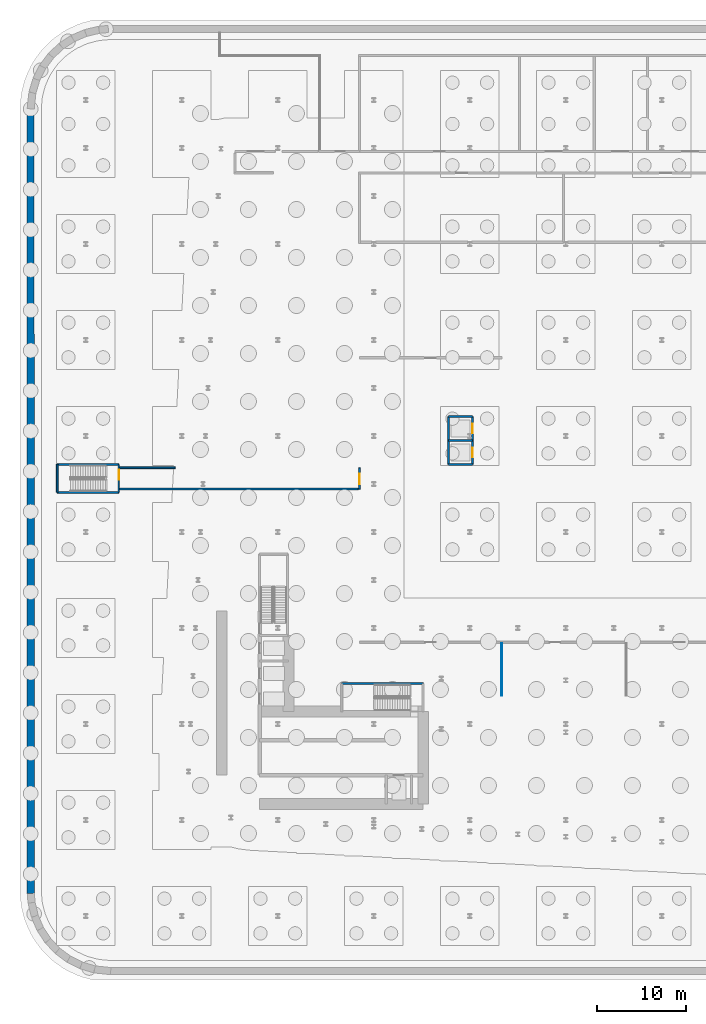
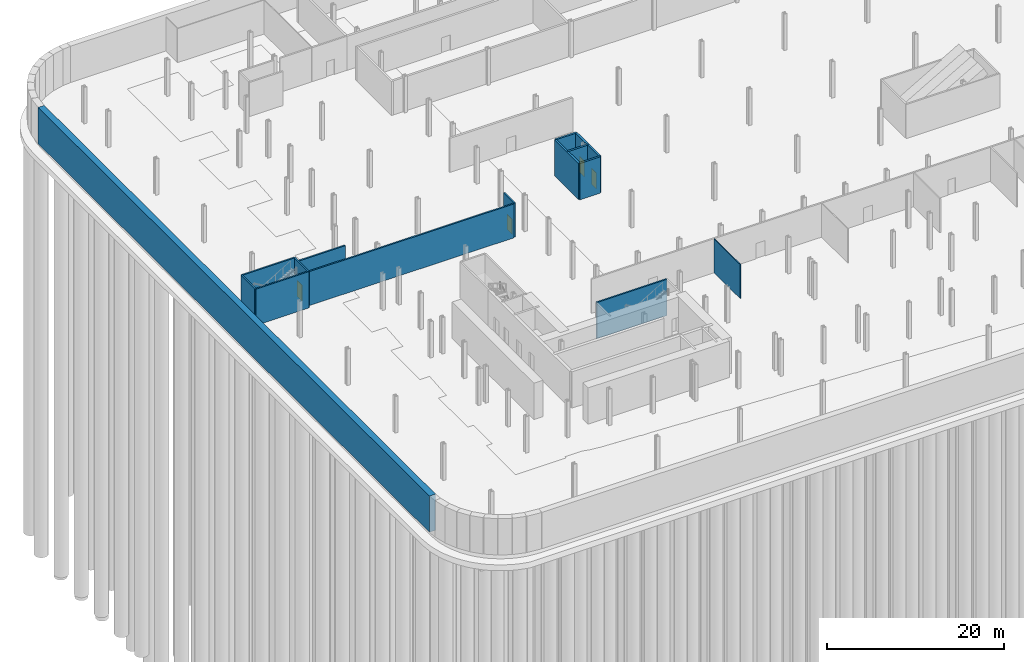
# One storey, part 12 of 23: 15 walls, 4 doors, 4 openings.
"""IFC4 building model written with IfcOpenShell, lengths in metres."""

from ifc_helpers import new_model, si_unit, direction, frame, frame_2d, origin, place, context, subcontext, project, spatial, rectangle, extrude, source, transform, mapped, material, layer, layer_set, type_object, element, fill, save


model = new_model("IFC4")

# Units and contexts
model_context = context("Model", 3, precision=1e-05, world=origin(), true_north=direction((0.0, 1.0)))
body_context = subcontext(model_context, "Body", "Model", "MODEL_VIEW")
ifc_project = project(units=[si_unit("LENGTHUNIT", "METRE"), si_unit("AREAUNIT", "SQUARE_METRE"), si_unit("VOLUMEUNIT", "CUBIC_METRE"), si_unit("PLANEANGLEUNIT", "RADIAN"), si_unit("MASSUNIT", "GRAM", prefix="KILO")], contexts=[model_context])

# Site, building, storey
site_placement = place(None, origin())
site = spatial("IfcSite", under=ifc_project, at=site_placement, CompositionType="ELEMENT")
building_placement = place(site_placement, origin())
building = spatial("IfcBuilding", under=site, at=building_placement, Name="Kheshtan School and Residences Tower", CompositionType="ELEMENT")
storey_placement = place(building_placement, frame((0.0, 0.0, -15.0)))
storey = spatial("IfcBuildingStorey", under=building, at=storey_placement, Name="B3", CompositionType="ELEMENT", Elevation=-15.0)

# Walls
ifc_material_1 = material(Name="Concrete C35/45", Category="concrete")
ifc_layer_1 = layer(ifc_material_1, 0.800048828125)
ifc_layer_set_1 = layer_set([ifc_layer_1], Name="Basement wall 800 Concrete C35/45")
wall_type_1 = type_object("IfcWallType", Name="Basement wall 800 Concrete C35/45", PredefinedType="SOLIDWALL", material=ifc_layer_set_1)
wall_1_placement = place(storey_placement, frame((9.010986328125, 15.739013671875, 0.0), z_axis=(0.0, 0.0, 1.0), x_axis=(-0.000124475473, 0.999999992253, 0.0)))
element("IfcWall", 1, at=wall_1_placement, inside=storey, type_object=wall_type_1, Name="Secant pile wall 40", PredefinedType="SOLIDWALL", context=body_context, shape_type="SweptSolid", body=[
    extrude(rectangle(XDim=88.260986328125, YDim=0.800048828125, at=frame_2d((44.13037109375, 0.0))), origin(), (0.0, 0.0, 1.0), 5.0),
])
ifc_material_2 = material(Name="Gypsum board on steel studs with fire boards", Category="steel")
ifc_layer_2 = layer(ifc_material_2, 0.199951171875)
ifc_layer_set_2 = layer_set([ifc_layer_2], Name="Corridor wall 200")
wall_type_2 = type_object("IfcWallType", Name="Corridor wall 200", PredefinedType="PARTITIONING", material=ifc_layer_set_2)
wall_2_placement = place(storey_placement, frame((19.02001953125, 61.22509765625, 0.0), z_axis=(0.0, 0.0, 1.0), x_axis=(1.0, 0.0, 0.0)))
element("IfcWall", 2, at=wall_2_placement, inside=storey, type_object=wall_type_2, Name="Partition B3-001", PredefinedType="PARTITIONING", context=body_context, shape_type="SweptSolid", body=[
    extrude(rectangle(XDim=26.830078125, YDim=0.199951171875, at=frame_2d((13.4150390625, 0.0))), origin(), (0.0, 0.0, 1.0), 4.679931640625),
])
wall_3_placement = place(storey_placement, frame((19.02001953125, 63.625, 0.0), z_axis=(0.0, 0.0, 1.0), x_axis=(1.0, 0.0, 0.0)))
element("IfcWall", 3, at=wall_3_placement, inside=storey, type_object=wall_type_2, Name="Partition B3-002", PredefinedType="PARTITIONING", context=body_context, shape_type="SweptSolid", body=[
    extrude(rectangle(XDim=6.22998046875, YDim=0.199951171875, at=frame_2d((3.114990234375, 0.0))), origin(), (0.0, 0.0, 1.0), 4.679931640625),
])

# Wall, opening, door
wall_4_placement = place(storey_placement, frame((46.0, 61.22509765625, 0.0), z_axis=(0.0, 0.0, 1.0), x_axis=(0.0, 1.0, 0.0)))
wall_4 = element("IfcWall", 4, at=wall_4_placement, inside=storey, type_object=wall_type_2, Name="Partition B3-014", PredefinedType="PARTITIONING", context=body_context, shape_type="SweptSolid", body=[
    extrude(rectangle(XDim=2.39990234375, YDim=0.199951171875, at=frame_2d((1.199951171875, 0.0))), origin(), (0.0, 0.0, 1.0), 4.679931640625),
])
opening_1_placement = place(wall_4_placement, frame((0.550048828125, 0.0, 0.0)))
opening_1 = element("IfcOpeningElement", 5, at=opening_1_placement, cuts=wall_4, Name="Opening D3-012", PredefinedType="OPENING", context=body_context, shape_type="SweptSolid", body=[
    extrude(rectangle(XDim=1.199951171875, YDim=2.10009765625, at=frame_2d((0.60009765625, 1.050048828125))), frame((0.0, 0.10986328125, 0.0), z_axis=(0.0, -1.0, 0.0), x_axis=(1.0, 0.0, 0.0)), (0.0, 0.0, 1.0), 0.219970703125),
])
ifc_material_3 = material(Name="Steel-framed fire-resisting door leaf", Category="steel")
door_type_1 = type_object("IfcDoorType", Name="Fire door FD60 1200 x 2100", OperationType="SINGLE_SWING_LEFT", PredefinedType="DOOR", material=ifc_material_3)
shared_shape_1 = source(origin(), body_context, "Body", "SweptSolid", [
    extrude(rectangle(XDim=1.199951171875, YDim=2.10009765625, at=frame_2d((0.60009765625, 1.050048828125))), frame((0.0, 0.02490234375, 0.0), z_axis=(0.0, -1.0, 0.0), x_axis=(1.0, 0.0, 0.0)), (0.0, 0.0, 1.0), 0.050048828125),
])
door_1_placement = place(opening_1_placement, origin())
door_1 = element("IfcDoor", 6, at=door_1_placement, inside=storey, type_object=door_type_1, Name="Door D3-012", OperationType="SINGLE_SWING_RIGHT", OverallHeight=2.10009765625, OverallWidth=1.199951171875, PredefinedType="DOOR", context=body_context, shape_type="MappedRepresentation", body=[
    mapped(shared_shape_1, transform((0.0, 0.0, 0.0), x_axis=(1.0, 0.0, 0.0), y_axis=(0.0, 1.0, 0.0), z_axis=(0.0, 0.0, 1.0), scale=1.0)),
])
fill(opening_1, door_1)

# Walls
ifc_material_4 = material(Name="Gypsum board on steel studs", Category="steel")
ifc_layer_3 = layer(ifc_material_4, 0.10009765625)
ifc_layer_set_3 = layer_set([ifc_layer_3], Name="Gypsum partition 100")
wall_type_3 = type_object("IfcWallType", Name="Gypsum partition 100", PredefinedType="PARTITIONING", material=ifc_layer_set_3)
wall_5_placement = place(storey_placement, frame((62.0, 38.0, 0.0), z_axis=(0.0, 0.0, 1.0), x_axis=(0.0, 1.0, 0.0)))
element("IfcWall", 7, at=wall_5_placement, inside=storey, type_object=wall_type_3, Name="Partition B3-022", PredefinedType="PARTITIONING", context=body_context, shape_type="SweptSolid", body=[
    extrude(rectangle(XDim=5.89990234375, YDim=0.10009765625, at=frame_2d((2.949951171875, 0.0))), origin(), (0.0, 0.0, 1.0), 4.679931640625),
])
ifc_material_5 = material(Name="Fire-board shaft wall system")
ifc_layer_4 = layer(ifc_material_5, 0.25)
ifc_layer_set_4 = layer_set([ifc_layer_4], Name="Shaft lining wall 250")
wall_type_4 = type_object("IfcWallType", Name="Shaft lining wall 250", PredefinedType="PARTITIONING", material=ifc_layer_set_4)
wall_6_placement = place(storey_placement, frame((56.0, 64.0, 0.0), z_axis=(0.0, 0.0, 1.0), x_axis=(0.0, 1.0, 0.0)))
element("IfcWall", 8, at=wall_6_placement, inside=storey, type_object=wall_type_4, Name="Shaft lining wall", PredefinedType="PARTITIONING", context=body_context, shape_type="SweptSolid", body=[
    extrude(rectangle(XDim=5.39990234375, YDim=0.25, at=frame_2d((2.699951171875, 0.0))), origin(), (0.0, 0.0, 1.0), 5.0),
])

# Wall, openings, doors
wall_7_placement = place(storey_placement, frame((58.699951171875, 64.0, 0.0), z_axis=(0.0, 0.0, 1.0), x_axis=(0.0, 1.0, 0.0)))
wall_7 = element("IfcWall", 9, at=wall_7_placement, inside=storey, type_object=wall_type_4, Name="Shaft lining wall", PredefinedType="PARTITIONING", context=body_context, shape_type="SweptSolid", body=[
    extrude(rectangle(XDim=5.39990234375, YDim=0.25, at=frame_2d((2.699951171875, 0.0))), origin(), (0.0, 0.0, 1.0), 5.0),
])
opening_2_placement = place(wall_7_placement, frame((0.800048828125, 0.0, 0.0)))
opening_2 = element("IfcOpeningElement", 10, at=opening_2_placement, cuts=wall_7, Name="Opening LD", PredefinedType="OPENING", context=body_context, shape_type="SweptSolid", body=[
    extrude(rectangle(XDim=1.10009765625, YDim=2.199951171875, at=frame_2d((0.550048828125, 1.10009765625))), frame((0.0, 0.135009765625, 0.0), z_axis=(0.0, -1.0, 0.0), x_axis=(1.0, 0.0, 0.0)), (0.0, 0.0, 1.0), 0.27001953125),
])
opening_3_placement = place(wall_7_placement, frame((3.5, 0.0, 0.0)))
opening_3 = element("IfcOpeningElement", 11, at=opening_3_placement, cuts=wall_7, Name="Opening LD", PredefinedType="OPENING", context=body_context, shape_type="SweptSolid", body=[
    extrude(rectangle(XDim=1.10009765625, YDim=2.199951171875, at=frame_2d((0.550048828125, 1.10009765625))), frame((0.0, 0.135009765625, 0.0), z_axis=(0.0, -1.0, 0.0), x_axis=(1.0, 0.0, 0.0)), (0.0, 0.0, 1.0), 0.27001953125),
])
ifc_material_6 = material(Name="Stainless steel door leaves", Category="steel")
door_type_2 = type_object("IfcDoorType", Name="Lift landing door 1100", OperationType="SLIDING_TO_LEFT", PredefinedType="DOOR", material=ifc_material_6)
shared_shape_2 = source(origin(), body_context, "Body", "SweptSolid", [
    extrude(rectangle(XDim=1.10009765625, YDim=2.199951171875, at=frame_2d((0.550048828125, 1.10009765625))), frame((0.0, 0.02490234375, 0.0), z_axis=(0.0, -1.0, 0.0), x_axis=(1.0, 0.0, 0.0)), (0.0, 0.0, 1.0), 0.050048828125),
])
door_2_placement = place(opening_2_placement, origin())
door_2 = element("IfcDoor", 12, at=door_2_placement, inside=storey, type_object=door_type_2, Name="Lift ML1 landing door", OperationType="SLIDING_TO_LEFT", OverallHeight=2.199951171875, OverallWidth=1.10009765625, PredefinedType="DOOR", context=body_context, shape_type="MappedRepresentation", body=[
    mapped(shared_shape_2, transform((0.0, 0.0, 0.0), x_axis=(1.0, 0.0, 0.0), y_axis=(0.0, 1.0, 0.0), z_axis=(0.0, 0.0, 1.0), scale=1.0)),
])
fill(opening_2, door_2)
door_3_placement = place(opening_3_placement, origin())
door_3 = element("IfcDoor", 13, at=door_3_placement, inside=storey, type_object=door_type_2, Name="Lift ML2 landing door", OperationType="SLIDING_TO_LEFT", OverallHeight=2.199951171875, OverallWidth=1.10009765625, PredefinedType="DOOR", context=body_context, shape_type="MappedRepresentation", body=[
    mapped(shared_shape_2, transform((0.0, 0.0, 0.0), x_axis=(1.0, 0.0, 0.0), y_axis=(0.0, 1.0, 0.0), z_axis=(0.0, 0.0, 1.0), scale=1.0)),
])
fill(opening_3, door_3)

# Walls
for number, where, z_axis, x_axis, name in (
    (14, (56.0, 64.0, 0.0), (0.0, 0.0, 1.0), (1.0, 0.0, 0.0), "Shaft lining wall"),
    (15, (56.0, 66.699951171875, 0.0), (0.0, 0.0, 1.0), (1.0, 0.0, 0.0), "Shaft lining wall"),
    (16, (56.0, 69.39990234375, 0.0), (0.0, 0.0, 1.0), (1.0, 0.0, 0.0), "Shaft lining wall"),
):
    element("IfcWall", number, at=place(storey_placement, frame(where, z_axis=z_axis, x_axis=x_axis)), inside=storey, type_object=wall_type_4, Name=name, PredefinedType="PARTITIONING", context=body_context, shape_type="SweptSolid", body=[
        extrude(rectangle(XDim=2.699951171875, YDim=0.25, at=frame_2d((1.35009765625, 0.0))), origin(), (0.0, 0.0, 1.0), 5.0),
    ])
ifc_material_7 = material(Name="Concrete C40/50", Category="concrete")
ifc_layer_5 = layer(ifc_material_7, 0.199951171875)
ifc_layer_set_5 = layer_set([ifc_layer_5], Name="Stair enclosure wall 200 Concrete C40/50")
wall_type_5 = type_object("IfcWallType", Name="Stair enclosure wall 200 Concrete C40/50", PredefinedType="SHEAR", material=ifc_layer_set_5)
wall_8_placement = place(storey_placement, frame((43.989990234375, 39.35009765625, 0.0), z_axis=(0.0, 0.0, 1.0), x_axis=(1.0, 0.0, 0.0)))
element("IfcWall", 17, at=wall_8_placement, inside=storey, type_object=wall_type_5, Name="Stair enclosure wall ST1", PredefinedType="SHEAR", context=body_context, shape_type="SweptSolid", body=[
    extrude(rectangle(XDim=9.159912109375, YDim=0.199951171875, at=frame_2d((4.580078125, 0.0))), origin(), (0.0, 0.0, 1.0), 5.0),
])
for number, where, z_axis, x_axis, name in (
    (18, (12.0, 60.85009765625, 0.0), (0.0, 0.0, 1.0), (1.0, 0.0, 0.0), "Stair enclosure wall"),
    (19, (12.0, 64.0, 0.0), (0.0, 0.0, 1.0), (1.0, 0.0, 0.0), "Stair enclosure wall"),
):
    element("IfcWall", number, at=place(storey_placement, frame(where, z_axis=z_axis, x_axis=x_axis)), inside=storey, type_object=wall_type_5, Name=name, PredefinedType="SHEAR", context=body_context, shape_type="SweptSolid", body=[
        extrude(rectangle(XDim=6.919921875, YDim=0.199951171875, at=frame_2d((3.4599609375, 0.0))), origin(), (0.0, 0.0, 1.0), 5.0),
    ])
wall_9_placement = place(storey_placement, frame((12.0, 60.85009765625, 0.0), z_axis=(0.0, 0.0, 1.0), x_axis=(0.0, 1.0, 0.0)))
element("IfcWall", 20, at=wall_9_placement, inside=storey, type_object=wall_type_5, Name="Stair enclosure wall", PredefinedType="SHEAR", context=body_context, shape_type="SweptSolid", body=[
    extrude(rectangle(XDim=3.14990234375, YDim=0.199951171875, at=frame_2d((1.574951171875, 0.0))), origin(), (0.0, 0.0, 1.0), 5.0),
])

# Wall, opening, door
wall_10_placement = place(storey_placement, frame((18.919921875, 60.85009765625, 0.0), z_axis=(0.0, 0.0, 1.0), x_axis=(0.0, 1.0, 0.0)))
wall_10 = element("IfcWall", 21, at=wall_10_placement, inside=storey, type_object=wall_type_5, Name="Stair enclosure wall", PredefinedType="SHEAR", context=body_context, shape_type="SweptSolid", body=[
    extrude(rectangle(XDim=3.14990234375, YDim=0.199951171875, at=frame_2d((1.574951171875, 0.0))), origin(), (0.0, 0.0, 1.0), 5.0),
])
opening_4_placement = place(wall_10_placement, frame((1.425048828125, 0.0, 0.0)))
opening_4 = element("IfcOpeningElement", 22, at=opening_4_placement, cuts=wall_10, Name="Opening SD90", PredefinedType="OPENING", context=body_context, shape_type="SweptSolid", body=[
    extrude(rectangle(XDim=1.10009765625, YDim=2.199951171875, at=frame_2d((0.550048828125, 1.10009765625))), frame((0.0, 0.10986328125, 0.0), z_axis=(0.0, -1.0, 0.0), x_axis=(1.0, 0.0, 0.0)), (0.0, 0.0, 1.0), 0.219970703125),
])
ifc_material_8 = material(Name="Steel door leaf, galvanised", Category="steel")
door_type_3 = type_object("IfcDoorType", Name="Stair door 1100 steel 90 min", OperationType="SINGLE_SWING_LEFT", PredefinedType="DOOR", material=ifc_material_8)
shared_shape_3 = source(origin(), body_context, "Body", "SweptSolid", [
    extrude(rectangle(XDim=1.10009765625, YDim=2.199951171875, at=frame_2d((0.550048828125, 1.10009765625))), frame((0.0, 0.02490234375, 0.0), z_axis=(0.0, -1.0, 0.0), x_axis=(1.0, 0.0, 0.0)), (0.0, 0.0, 1.0), 0.050048828125),
])
door_4_placement = place(opening_4_placement, origin())
door_4 = element("IfcDoor", 23, at=door_4_placement, inside=storey, type_object=door_type_3, Name="Stair door", OperationType="SINGLE_SWING_RIGHT", OverallHeight=2.199951171875, OverallWidth=1.10009765625, PredefinedType="DOOR", context=body_context, shape_type="MappedRepresentation", body=[
    mapped(shared_shape_3, transform((0.0, 0.0, 0.0), x_axis=(1.0, 0.0, 0.0), y_axis=(0.0, 1.0, 0.0), z_axis=(0.0, 0.0, 1.0), scale=1.0)),
])
fill(opening_4, door_4)

save(model, "model.ifc")
